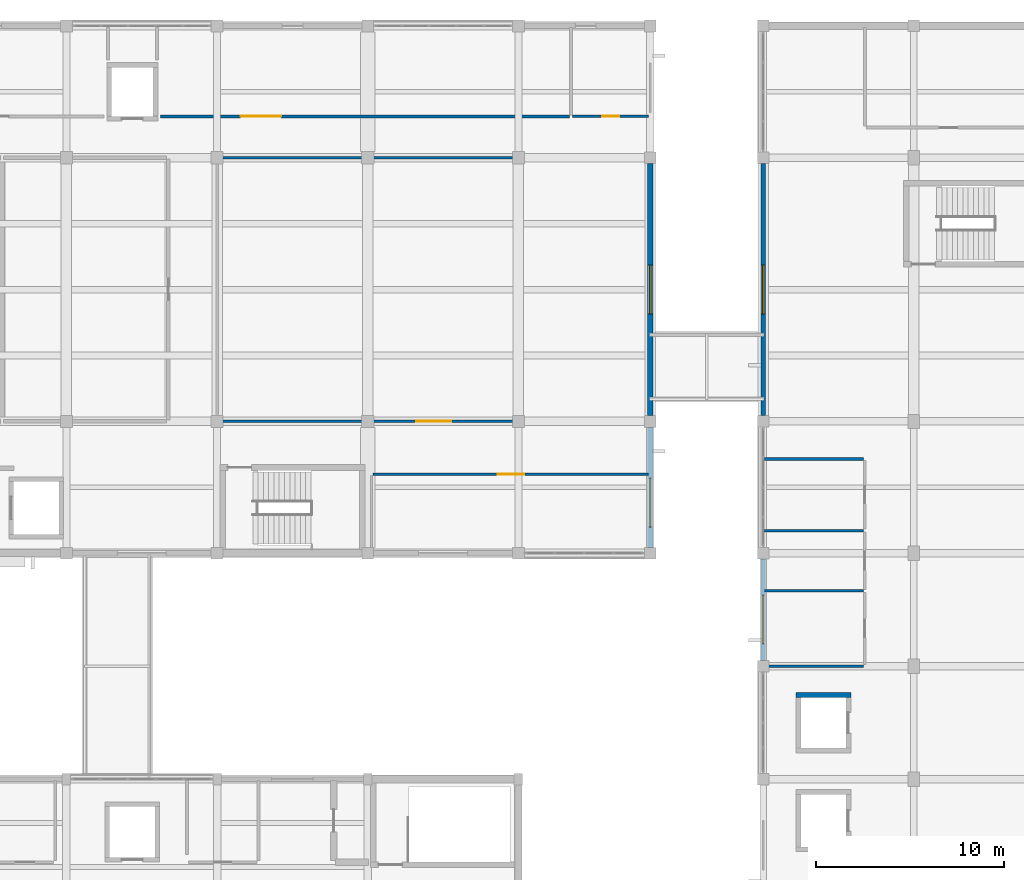
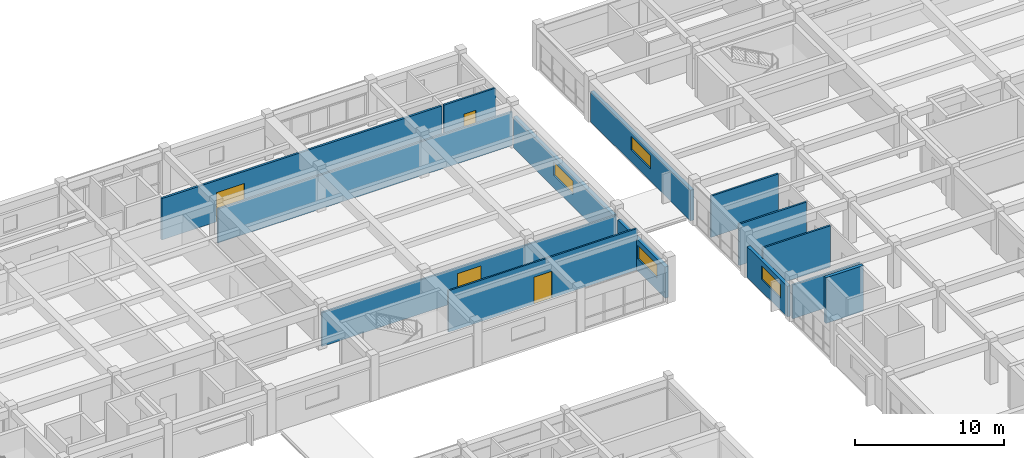
# One storey, part 25 of 33: 14 walls, 4 doors, 4 windows, 8 openings.
"""IFC4 building model written with IfcOpenShell, lengths in metres."""

from ifc_helpers import new_model, si_unit, direction, frame, frame_2d, origin, place, context, subcontext, project, spatial, rectangle, extrude, material, layer, layer_set, type_object, element, fill, save


model = new_model("IFC4")

# Units and contexts
model_context = context("Model", 3, precision=1e-05, world=origin(), true_north=direction((0.0, 1.0)))
body_context = subcontext(model_context, "Body", "Model", "MODEL_VIEW")
ifc_project = project(units=[si_unit("LENGTHUNIT", "METRE"), si_unit("AREAUNIT", "SQUARE_METRE"), si_unit("VOLUMEUNIT", "CUBIC_METRE"), si_unit("PLANEANGLEUNIT", "RADIAN"), si_unit("MASSUNIT", "GRAM", prefix="KILO")], contexts=[model_context])

# Site, building, storey
site_placement = place(None, origin())
site = spatial("IfcSite", under=ifc_project, at=site_placement, CompositionType="ELEMENT")
building_placement = place(site_placement, origin())
building = spatial("IfcBuilding", under=site, at=building_placement, Name="Naurynzar Civic Courthouse", CompositionType="ELEMENT")
storey_placement = place(building_placement, frame((0.0, 0.0, 22.050048828125)))
storey = spatial("IfcBuildingStorey", under=building, at=storey_placement, Name="L06", CompositionType="ELEMENT", Elevation=22.050048828125)

# Wall, opening, door
ifc_material_1 = material(Name="Acoustic Double-Stud Gypsum Partition")
ifc_layer_1 = layer(ifc_material_1, 0.135009765625)
ifc_layer_set_1 = layer_set([ifc_layer_1], Name="WL-ACOUSTIC-135")
wall_type_1 = type_object("IfcWallType", Name="WL-ACOUSTIC-135", PredefinedType="PARTITIONING", material=ifc_layer_set_1)
wall_1_placement = place(storey_placement, frame((101.080078125, 51.0, 0.0), z_axis=(0.0, 0.0, 1.0), x_axis=(1.0, 0.0, 0.0)))
wall_1 = element("IfcWall", 1, at=wall_1_placement, inside=storey, type_object=wall_type_1, Name="V2 interior partition L06.674", PredefinedType="PARTITIONING", context=body_context, shape_type="SweptSolid", body=[
    extrude(rectangle(XDim=22.83984375, YDim=0.135009765625, at=frame_2d((11.419921875, 0.0))), origin(), (0.0, 0.0, 1.0), 2.780029296875),
])
opening_1_placement = place(wall_1_placement, frame((10.4951171875, 0.0, 0.0)))
opening_1 = element("IfcOpeningElement", 2, at=opening_1_placement, cuts=wall_1, Name="Opening D-169", PredefinedType="OPENING", context=body_context, shape_type="SweptSolid", body=[
    extrude(rectangle(XDim=1.85009765625, YDim=2.300048828125, at=frame_2d((0.925048828125, 1.14990234375))), frame((0.0, 0.077392578125, 0.0), z_axis=(0.0, -1.0, 0.0), x_axis=(1.0, 0.0, 0.0)), (0.0, 0.0, 1.0), 0.155029296875),
])
ifc_material_2 = material(Name="Acoustic Oak Timber Grade A", Category="wood")
door_type_1 = type_object("IfcDoorType", Name="DR-SUITE-1850x2300", OperationType="DOUBLE_DOOR_SINGLE_SWING", PredefinedType="DOOR", material=ifc_material_2)
door_1_placement = place(opening_1_placement, origin())
door_1 = element("IfcDoor", 3, at=door_1_placement, inside=storey, type_object=door_type_1, Name="Interior door D-169 (Civil Chamber Courtroom L06-E)", OperationType="DOUBLE_DOOR_SINGLE_SWING", OverallHeight=2.300048828125, OverallWidth=1.85009765625, PredefinedType="DOOR", context=body_context, shape_type="SweptSolid", body=[
    extrude(rectangle(XDim=1.85009765625, YDim=2.300048828125, at=frame_2d((0.925048828125, 1.14990234375))), frame((0.0, 0.02490234375, 0.0), z_axis=(0.0, -1.0, 0.0), x_axis=(1.0, 0.0, 0.0)), (0.0, 0.0, 1.0), 0.050048828125),
])
fill(opening_1, door_1)

# Wall
wall_2_placement = place(storey_placement, frame((101.080078125, 65.0, 0.0), z_axis=(0.0, 0.0, 1.0), x_axis=(1.0, 0.0, 0.0)))
element("IfcWall", 4, at=wall_2_placement, inside=storey, type_object=wall_type_1, Name="V2 interior partition L06.680", PredefinedType="PARTITIONING", context=body_context, shape_type="SweptSolid", body=[
    extrude(rectangle(XDim=22.83984375, YDim=0.135009765625, at=frame_2d((11.419921875, 0.0))), origin(), (0.0, 0.0, 1.0), 2.780029296875),
])

# Wall, opening, window
ifc_material_3 = material(Name="Precast concrete C40/50", Category="concrete")
ifc_layer_2 = layer(ifc_material_3, 0.260009765625)
ifc_layer_set_2 = layer_set([ifc_layer_2], Name="WL-EXT-260")
wall_type_2 = type_object("IfcWallType", Name="WL-EXT-260", PredefinedType="SOLIDWALL", material=ifc_layer_set_2)
wall_3_placement = place(storey_placement, frame((130.0, 38.300048828125, 0.0), z_axis=(0.0, 0.0, 1.0), x_axis=(0.0, 1.0, 0.0)))
wall_3 = element("IfcWall", 5, at=wall_3_placement, inside=storey, type_object=wall_type_2, Name="V5 exterior wall west L06.5.1", PredefinedType="SOLIDWALL", context=body_context, shape_type="SweptSolid", body=[
    extrude(rectangle(XDim=5.39990234375, YDim=0.260009765625, at=frame_2d((2.699951171875, 0.0))), origin(), (0.0, 0.0, 1.0), 2.510009765625),
])
opening_2_placement = place(wall_3_placement, frame((0.8798828125, 0.0, 1.0)))
opening_2 = element("IfcOpeningElement", 6, at=opening_2_placement, cuts=wall_3, Name="Opening WN-17", PredefinedType="OPENING", context=body_context, shape_type="SweptSolid", body=[
    extrude(rectangle(XDim=2.60009765625, YDim=1.10009765625, at=frame_2d((1.300048828125, 0.550048828125))), frame((0.0, 0.139892578125, 0.0), z_axis=(0.0, -1.0, 0.0), x_axis=(1.0, 0.0, 0.0)), (0.0, 0.0, 1.0), 0.280029296875),
])
ifc_material_4 = material(Name="Tempered Laminated Low-E Glass", Category="glass")
window_type = type_object("IfcWindowType", Name="WIN-CLER-2600x1100", PartitioningType="DOUBLE_PANEL_VERTICAL", PredefinedType="WINDOW", material=ifc_material_4)
window_1_placement = place(opening_2_placement, origin())
window_1 = element("IfcWindow", 7, at=window_1_placement, inside=storey, type_object=window_type, Name="V5 window 338 L06", OverallHeight=1.10009765625, OverallWidth=2.60009765625, PartitioningType="SINGLE_PANEL", PredefinedType="WINDOW", context=body_context, shape_type="SweptSolid", body=[
    extrude(rectangle(XDim=2.60009765625, YDim=1.10009765625, at=frame_2d((1.300048828125, 0.550048828125))), frame((0.0, 0.030029296875, 0.0), z_axis=(0.0, -1.0, 0.0), x_axis=(1.0, 0.0, 0.0)), (0.0, 0.0, 1.0), 0.06005859375),
])
fill(opening_2, window_1)

wall_4_placement = place(storey_placement, frame((130.0, 51.300048828125, 0.0), z_axis=(0.0, 0.0, 1.0), x_axis=(0.0, 1.0, 0.0)))
wall_4 = element("IfcWall", 8, at=wall_4_placement, inside=storey, type_object=wall_type_2, Name="V5 exterior wall west L06.7.1", PredefinedType="SOLIDWALL", context=body_context, shape_type="SweptSolid", body=[
    extrude(rectangle(XDim=13.39990234375, YDim=0.260009765625, at=frame_2d((6.699951171875, 0.0))), origin(), (0.0, 0.0, 1.0), 2.510009765625),
])
opening_3_placement = place(wall_4_placement, frame((5.39990234375, 0.0, 1.0)))
opening_3 = element("IfcOpeningElement", 9, at=opening_3_placement, cuts=wall_4, Name="Opening WN-17", PredefinedType="OPENING", context=body_context, shape_type="SweptSolid", body=[
    extrude(rectangle(XDim=2.60009765625, YDim=1.10009765625, at=frame_2d((1.300048828125, 0.550048828125))), frame((0.0, 0.139892578125, 0.0), z_axis=(0.0, -1.0, 0.0), x_axis=(1.0, 0.0, 0.0)), (0.0, 0.0, 1.0), 0.280029296875),
])
window_2_placement = place(opening_3_placement, origin())
window_2 = element("IfcWindow", 10, at=window_2_placement, inside=storey, type_object=window_type, Name="V5 window 339 L06", OverallHeight=1.10009765625, OverallWidth=2.60009765625, PartitioningType="SINGLE_PANEL", PredefinedType="WINDOW", context=body_context, shape_type="SweptSolid", body=[
    extrude(rectangle(XDim=2.60009765625, YDim=1.10009765625, at=frame_2d((1.300048828125, 0.550048828125))), frame((0.0, 0.030029296875, 0.0), z_axis=(0.0, -1.0, 0.0), x_axis=(1.0, 0.0, 0.0)), (0.0, 0.0, 1.0), 0.06005859375),
])
fill(opening_3, window_2)

ifc_material_5 = material(Name="Precast concrete C40/50", Category="concrete")
ifc_layer_3 = layer(ifc_material_5, 0.280029296875)
ifc_layer_set_3 = layer_set([ifc_layer_3], Name="WL-EXT-280")
wall_type_3 = type_object("IfcWallType", Name="WL-EXT-280", PredefinedType="SOLIDWALL", material=ifc_layer_set_3)
wall_5_placement = place(storey_placement, frame((124.0, 64.6875, 0.0), z_axis=(0.0, 0.0, 1.0), x_axis=(0.0, -1.0, 0.0)))
wall_5 = element("IfcWall", 11, at=wall_5_placement, inside=storey, type_object=wall_type_3, Name="V2 exterior wall east L06.2.1", PredefinedType="SOLIDWALL", context=body_context, shape_type="SweptSolid", body=[
    extrude(rectangle(XDim=13.375, YDim=0.280029296875, at=frame_2d((6.6875, 0.0))), origin(), (0.0, 0.0, 1.0), 2.56005859375),
])
opening_4_placement = place(wall_5_placement, frame((5.387451171875, 0.0, 1.0)))
opening_4 = element("IfcOpeningElement", 12, at=opening_4_placement, cuts=wall_5, Name="Opening WN-17", PredefinedType="OPENING", context=body_context, shape_type="SweptSolid", body=[
    extrude(rectangle(XDim=2.60009765625, YDim=1.10009765625, at=frame_2d((1.300048828125, 0.550048828125))), frame((0.0, 0.14990234375, 0.0), z_axis=(0.0, -1.0, 0.0), x_axis=(1.0, 0.0, 0.0)), (0.0, 0.0, 1.0), 0.300048828125),
])
window_3_placement = place(opening_4_placement, origin())
window_3 = element("IfcWindow", 13, at=window_3_placement, inside=storey, type_object=window_type, Name="V2 window 100 L06", OverallHeight=1.10009765625, OverallWidth=2.60009765625, PartitioningType="SINGLE_PANEL", PredefinedType="WINDOW", context=body_context, shape_type="SweptSolid", body=[
    extrude(rectangle(XDim=2.60009765625, YDim=1.10009765625, at=frame_2d((1.300048828125, 0.550048828125))), frame((0.0, 0.030029296875, 0.0), z_axis=(0.0, -1.0, 0.0), x_axis=(1.0, 0.0, 0.0)), (0.0, 0.0, 1.0), 0.06005859375),
])
fill(opening_4, window_3)

wall_6_placement = place(storey_placement, frame((124.0, 50.6875, 0.0), z_axis=(0.0, 0.0, 1.0), x_axis=(0.0, -1.0, 0.0)))
wall_6 = element("IfcWall", 14, at=wall_6_placement, inside=storey, type_object=wall_type_3, Name="V2 exterior wall east L06.3.1", PredefinedType="SOLIDWALL", context=body_context, shape_type="SweptSolid", body=[
    extrude(rectangle(XDim=6.375, YDim=0.280029296875, at=frame_2d((3.1875, 0.0))), origin(), (0.0, 0.0, 1.0), 2.56005859375),
])
opening_5_placement = place(wall_6_placement, frame((2.70703125, 0.0, 1.0)))
opening_5 = element("IfcOpeningElement", 15, at=opening_5_placement, cuts=wall_6, Name="Opening WN-17", PredefinedType="OPENING", context=body_context, shape_type="SweptSolid", body=[
    extrude(rectangle(XDim=2.60009765625, YDim=1.10009765625, at=frame_2d((1.300048828125, 0.550048828125))), frame((0.0, 0.14990234375, 0.0), z_axis=(0.0, -1.0, 0.0), x_axis=(1.0, 0.0, 0.0)), (0.0, 0.0, 1.0), 0.300048828125),
])
window_4_placement = place(opening_5_placement, origin())
window_4 = element("IfcWindow", 16, at=window_4_placement, inside=storey, type_object=window_type, Name="V2 window 101 L06", OverallHeight=1.10009765625, OverallWidth=2.60009765625, PartitioningType="SINGLE_PANEL", PredefinedType="WINDOW", context=body_context, shape_type="SweptSolid", body=[
    extrude(rectangle(XDim=2.60009765625, YDim=1.10009765625, at=frame_2d((1.300048828125, 0.550048828125))), frame((0.0, 0.030029296875, 0.0), z_axis=(0.0, -1.0, 0.0), x_axis=(1.0, 0.0, 0.0)), (0.0, 0.0, 1.0), 0.06005859375),
])
fill(opening_5, window_4)

# Wall, opening, door
ifc_material_6 = material(Name="Insulated Metal-Stud Gypsum Partition")
ifc_layer_4 = layer(ifc_material_6, 0.159912109375)
ifc_layer_set_4 = layer_set([ifc_layer_4], Name="WL-PART-CHAMB-160")
wall_type_4 = type_object("IfcWallType", Name="WL-PART-CHAMB-160", PredefinedType="PARTITIONING", material=ifc_layer_set_4)
wall_7_placement = place(storey_placement, frame((98.0, 67.199951171875, 0.0), z_axis=(0.0, 0.0, 1.0), x_axis=(1.0, 0.0, 0.0)))
wall_7 = element("IfcWall", 17, at=wall_7_placement, inside=storey, type_object=wall_type_4, Name="V2 interior partition L06.687", PredefinedType="PARTITIONING", context=body_context, shape_type="SweptSolid", body=[
    extrude(rectangle(XDim=21.719970703125, YDim=0.159912109375, at=frame_2d((10.85986328125, 0.0))), origin(), (0.0, 0.0, 1.0), 3.389892578125),
])
opening_6_placement = place(wall_7_placement, frame((4.25, 0.0, 0.0)))
opening_6 = element("IfcOpeningElement", 18, at=opening_6_placement, cuts=wall_7, Name="Opening D-173", PredefinedType="OPENING", context=body_context, shape_type="SweptSolid", body=[
    extrude(rectangle(XDim=2.14990234375, YDim=2.39990234375, at=frame_2d((1.074951171875, 1.199951171875))), frame((0.0, 0.08984375, 0.0), z_axis=(0.0, -1.0, 0.0), x_axis=(1.0, 0.0, 0.0)), (0.0, 0.0, 1.0), 0.179931640625),
])
ifc_material_7 = material(Name="Acoustic Oak Timber Grade A", Category="wood")
door_type_2 = type_object("IfcDoorType", Name="DR-SUITE-2150x2400", OperationType="DOUBLE_DOOR_SINGLE_SWING", PredefinedType="DOOR", material=ifc_material_7)
door_2_placement = place(opening_6_placement, origin())
door_2 = element("IfcDoor", 19, at=door_2_placement, inside=storey, type_object=door_type_2, Name="Interior door D-173 (Senior Judges' Chambers L06-E)", OperationType="DOUBLE_DOOR_SINGLE_SWING", OverallHeight=2.39990234375, OverallWidth=2.14990234375, PredefinedType="DOOR", context=body_context, shape_type="SweptSolid", body=[
    extrude(rectangle(XDim=2.14990234375, YDim=2.39990234375, at=frame_2d((1.074951171875, 1.199951171875))), frame((0.0, 0.02490234375, 0.0), z_axis=(0.0, -1.0, 0.0), x_axis=(1.0, 0.0, 0.0)), (0.0, 0.0, 1.0), 0.050048828125),
])
fill(opening_6, door_2)

ifc_material_8 = material(Name="Metal-Stud Gypsum Partition")
ifc_layer_5 = layer(ifc_material_8, 0.125)
ifc_layer_set_5 = layer_set([ifc_layer_5], Name="WL-PART-STD-125")
wall_type_5 = type_object("IfcWallType", Name="WL-PART-STD-125", PredefinedType="PARTITIONING", material=ifc_layer_set_5)
wall_8_placement = place(storey_placement, frame((109.280029296875, 48.199951171875, 0.0), z_axis=(0.0, 0.0, 1.0), x_axis=(1.0, 0.0, 0.0)))
wall_8 = element("IfcWall", 20, at=wall_8_placement, inside=storey, type_object=wall_type_5, Name="V2 interior partition L06.669", PredefinedType="PARTITIONING", context=body_context, shape_type="SweptSolid", body=[
    extrude(rectangle(XDim=14.639892578125, YDim=0.125, at=frame_2d((7.31982421875, 0.0))), origin(), (0.0, 0.0, 1.0), 3.389892578125),
])
opening_7_placement = place(wall_8_placement, frame((6.6201171875, 0.0, 0.0)))
opening_7 = element("IfcOpeningElement", 21, at=opening_7_placement, cuts=wall_8, Name="Opening D-165", PredefinedType="OPENING", context=body_context, shape_type="SweptSolid", body=[
    extrude(rectangle(XDim=1.39990234375, YDim=2.199951171875, at=frame_2d((0.699951171875, 1.10009765625))), frame((0.0, 0.072509765625, 0.0), z_axis=(0.0, -1.0, 0.0), x_axis=(1.0, 0.0, 0.0)), (0.0, 0.0, 1.0), 0.14501953125),
])
ifc_material_9 = material(Name="Acoustic Oak Timber Grade A", Category="wood")
door_type_3 = type_object("IfcDoorType", Name="DR-SUITE-1400x2200", OperationType="NOTDEFINED", PredefinedType="DOOR", material=ifc_material_9)
door_3_placement = place(opening_7_placement, origin())
door_3 = element("IfcDoor", 22, at=door_3_placement, inside=storey, type_object=door_type_3, Name="Interior door D-165 (Witness Waiting Room V2)", OperationType="SINGLE_SWING_LEFT", OverallHeight=2.199951171875, OverallWidth=1.39990234375, PredefinedType="DOOR", context=body_context, shape_type="SweptSolid", body=[
    extrude(rectangle(XDim=1.39990234375, YDim=2.199951171875, at=frame_2d((0.699951171875, 1.10009765625))), frame((0.0, 0.02490234375, 0.0), z_axis=(0.0, -1.0, 0.0), x_axis=(1.0, 0.0, 0.0)), (0.0, 0.0, 1.0), 0.050048828125),
])
fill(opening_7, door_3)

# Walls
ifc_material_10 = material(Name="Moisture-Resistant Plumbing Partition")
ifc_layer_6 = layer(ifc_material_10, 0.139892578125)
ifc_layer_set_6 = layer_set([ifc_layer_6], Name="WL-PART-WC-140")
wall_type_6 = type_object("IfcWallType", Name="WL-PART-WC-140", PredefinedType="PLUMBINGWALL", material=ifc_layer_set_6)
wall_9_placement = place(storey_placement, frame((130.080078125, 38.0, 0.0), z_axis=(0.0, 0.0, 1.0), x_axis=(1.0, 0.0, 0.0)))
element("IfcWall", 23, at=wall_9_placement, inside=storey, type_object=wall_type_6, Name="V5 interior partition L06.664", PredefinedType="PLUMBINGWALL", context=body_context, shape_type="SweptSolid", body=[
    extrude(rectangle(XDim=5.239990234375, YDim=0.139892578125, at=frame_2d((2.6201171875, 0.0))), origin(), (0.0, 0.0, 1.0), 2.780029296875),
])
for number, where, z_axis, x_axis, name in (
    (24, (130.080078125, 42.0, 0.0), (0.0, 0.0, 1.0), (1.0, 0.0, 0.0), "V5 interior partition L06.665"),
    (25, (130.080078125, 45.199951171875, 0.0), (0.0, 0.0, 1.0), (1.0, 0.0, 0.0), "V5 interior partition L06.666"),
    (26, (130.080078125, 49.0, 0.0), (0.0, 0.0, 1.0), (1.0, 0.0, 0.0), "V5 interior partition L06.670"),
):
    element("IfcWall", number, at=place(storey_placement, frame(where, z_axis=z_axis, x_axis=x_axis)), inside=storey, type_object=wall_type_6, Name=name, PredefinedType="PLUMBINGWALL", context=body_context, shape_type="SweptSolid", body=[
        extrude(rectangle(XDim=5.239990234375, YDim=0.139892578125, at=frame_2d((2.6201171875, 0.0))), origin(), (0.0, 0.0, 1.0), 3.389892578125),
    ])

# Wall, opening, door
wall_10_placement = place(storey_placement, frame((119.8798828125, 67.199951171875, 0.0), z_axis=(0.0, 0.0, 1.0), x_axis=(1.0, 0.0, 0.0)))
wall_10 = element("IfcWall", 27, at=wall_10_placement, inside=storey, type_object=wall_type_6, Name="V2 interior partition L06.688", PredefinedType="PLUMBINGWALL", context=body_context, shape_type="SweptSolid", body=[
    extrude(rectangle(XDim=4.0400390625, YDim=0.139892578125, at=frame_2d((2.02001953125, 0.0))), origin(), (0.0, 0.0, 1.0), 3.389892578125),
])
opening_8_placement = place(wall_10_placement, frame((1.56005859375, 0.0, 0.0)))
opening_8 = element("IfcOpeningElement", 28, at=opening_8_placement, cuts=wall_10, Name="Opening D-174", PredefinedType="OPENING", context=body_context, shape_type="SweptSolid", body=[
    extrude(rectangle(XDim=0.919921875, YDim=2.10009765625, at=frame_2d((0.4599609375, 1.050048828125))), frame((0.0, 0.079833984375, 0.0), z_axis=(0.0, -1.0, 0.0), x_axis=(1.0, 0.0, 0.0)), (0.0, 0.0, 1.0), 0.159912109375),
])
ifc_material_11 = material(Name="Acoustic Oak Timber Grade A", Category="wood")
door_type_4 = type_object("IfcDoorType", Name="DR-WC-STD-920x2100", OperationType="NOTDEFINED", PredefinedType="DOOR", material=ifc_material_11)
door_4_placement = place(opening_8_placement, origin())
door_4 = element("IfcDoor", 29, at=door_4_placement, inside=storey, type_object=door_type_4, Name="Interior door D-174 (Judicial Staff WC V2)", OperationType="SINGLE_SWING_RIGHT", OverallHeight=2.10009765625, OverallWidth=0.919921875, PredefinedType="DOOR", context=body_context, shape_type="SweptSolid", body=[
    extrude(rectangle(XDim=0.919921875, YDim=2.10009765625, at=frame_2d((0.4599609375, 1.050048828125))), frame((0.0, 0.02490234375, 0.0), z_axis=(0.0, -1.0, 0.0), x_axis=(1.0, 0.0, 0.0)), (0.0, 0.0, 1.0), 0.050048828125),
])
fill(opening_8, door_4)

# Wall
ifc_material_12 = material(Name="Concrete C40/50", Category="concrete")
ifc_layer_7 = layer(ifc_material_12, 0.25)
ifc_layer_set_7 = layer_set([ifc_layer_7], Name="WL-SHAFT-250")
wall_type_7 = type_object("IfcWallType", Name="WL-SHAFT-250", PredefinedType="SHEAR", material=ifc_layer_set_7)
wall_11_placement = place(storey_placement, frame((134.64990234375, 36.47509765625, 0.0), z_axis=(0.0, 0.0, 1.0), x_axis=(-1.0, 0.0, 0.0)))
element("IfcWall", 30, at=wall_11_placement, inside=storey, type_object=wall_type_7, Name="Lift LP-05 shaft wall north L06", PredefinedType="SHEAR", context=body_context, shape_type="SweptSolid", body=[
    extrude(rectangle(XDim=2.89990234375, YDim=0.25, at=frame_2d((1.449951171875, 0.0))), origin(), (0.0, 0.0, 1.0), 3.75),
])

save(model, "model.ifc")
